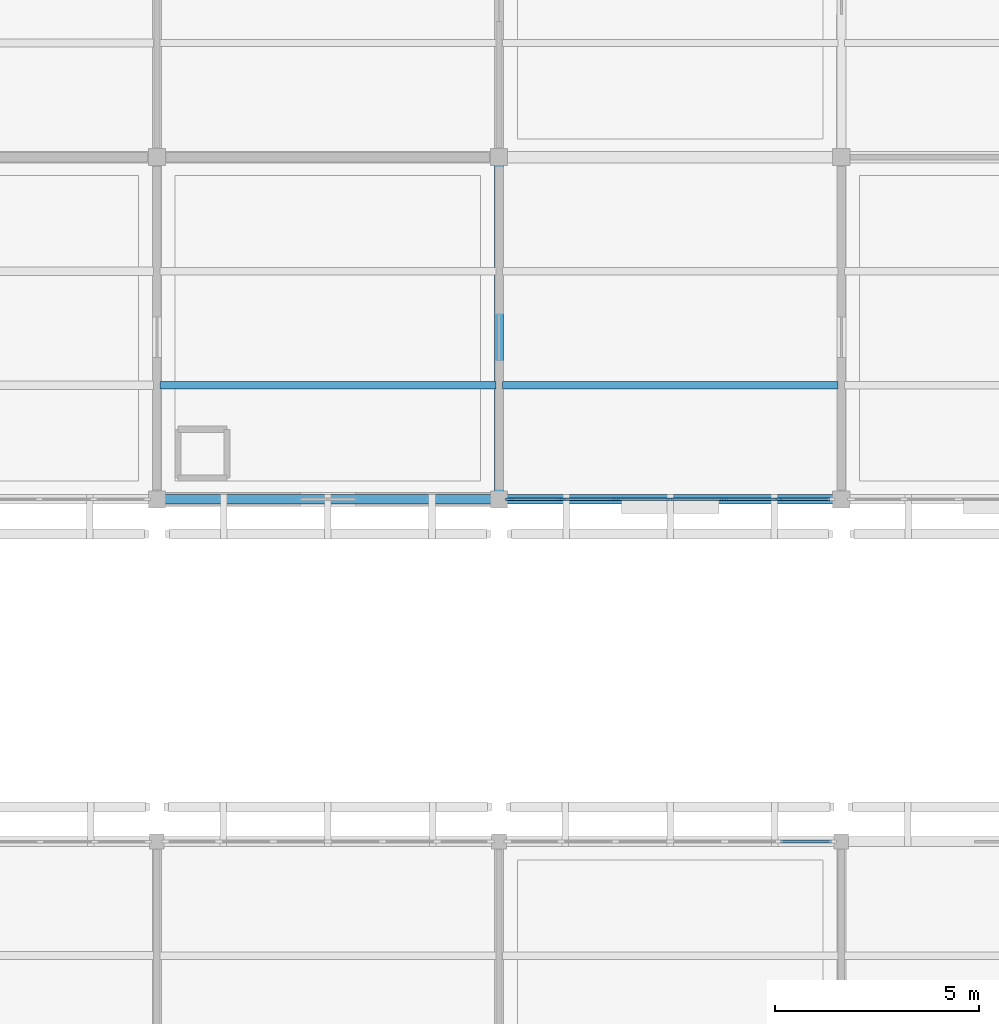
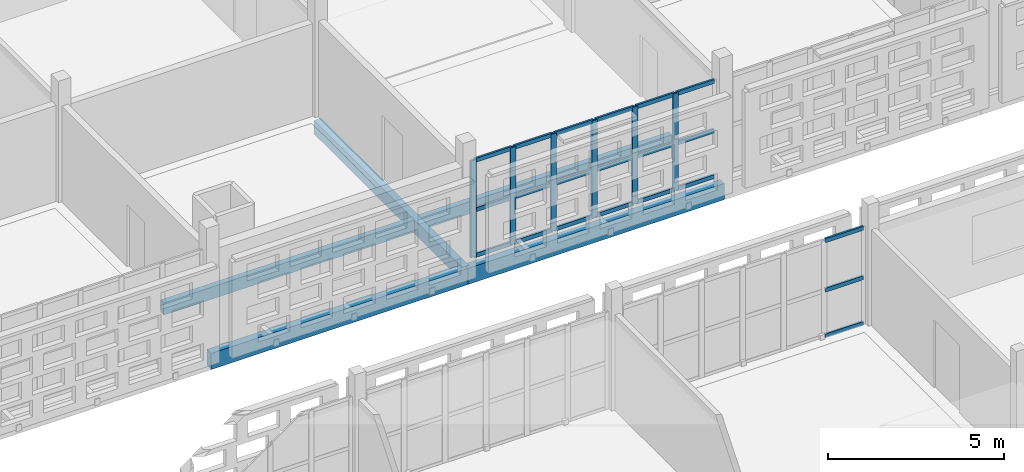
# One storey, part 65 of 166: 27 members, 5 beams, 2 elements without a shape of their own.
"""IFC4 building model written with IfcOpenShell, lengths in metres."""

from ifc_helpers import new_model, si_unit, direction, frame, origin, origin_2d, place, context, subcontext, project, spatial, rectangle, extrude, material, layer, layer_set, material_profile, profile_set, type_object, element, aggregate, save


model = new_model("IFC4")

# Units and contexts
model_context = context("Model", 3, precision=1e-05, world=origin(), true_north=direction((0.0, 1.0)))
body_context = subcontext(model_context, "Body", "Model", "MODEL_VIEW")
ifc_project = project(units=[si_unit("LENGTHUNIT", "METRE"), si_unit("AREAUNIT", "SQUARE_METRE"), si_unit("VOLUMEUNIT", "CUBIC_METRE"), si_unit("PLANEANGLEUNIT", "RADIAN"), si_unit("MASSUNIT", "GRAM", prefix="KILO")], contexts=[model_context])

# Site, building, storey
site_placement = place(None, origin())
site = spatial("IfcSite", under=ifc_project, at=site_placement, CompositionType="ELEMENT")
building_placement = place(site_placement, origin())
building = spatial("IfcBuilding", under=site, at=building_placement, Name="Varnapada Polytechnic", CompositionType="ELEMENT")
storey_placement = place(building_placement, frame((0.0, 0.0, 9.60009765625)))
storey = spatial("IfcBuildingStorey", under=building, at=storey_placement, Name="L02", CompositionType="ELEMENT", Elevation=9.60009765625)

# Curtain wall, members
ifc_material_1 = material(Name="Double low-E laminated glass", Category="glass")
ifc_layer = layer(ifc_material_1, 0.179931640625)
ifc_layer_set = layer_set([ifc_layer], Name="Double low-E laminated glass")
curtain_wall_type = type_object("IfcCurtainWallType", Name="Curtain Wall CW-04", PredefinedType="NOTDEFINED", material=ifc_layer_set)
curtain_wall_1_placement = place(storey_placement, origin())
curtain_wall_1 = element("IfcCurtainWall", 1, at=curtain_wall_1_placement, inside=storey, type_object=curtain_wall_type, Name="L02 unitised curtain wall CW-04 (196)", PredefinedType="NOTDEFINED")
ifc_material_2 = material(Name="Anodised aluminium", Category="aluminium")
ifc_material_profile_1 = material_profile(ifc_material_2, rectangle(XDim=0.06494140625, YDim=0.179931640625, at=origin_2d()), Name="ALU M65x180")
ifc_profile_set_1 = profile_set([ifc_material_profile_1], Name="Anodised aluminium")
member_type_1 = type_object("IfcMemberType", Name="Mullion M-02", PredefinedType="MULLION", material=ifc_profile_set_1)
member_1_placement = place(storey_placement, frame((158.06005859375, 58.800048828125, 0.0), z_axis=(0.0, 0.0, 1.0), x_axis=(0.0, -1.0, 0.0)))
member_1 = element("IfcMember", 2, at=member_1_placement, type_object=member_type_1, Name="CW-04 mullion 2", PredefinedType="MULLION", context=body_context, shape_type="SweptSolid", body=[
    extrude(rectangle(XDim=0.06494140625, YDim=0.179931640625, at=origin_2d()), origin(), (0.0, 0.0, 1.0), 3.35986328125),
])
member_2_placement = place(storey_placement, frame((156.72998046875, 58.800048828125, 0.0), z_axis=(0.0, 0.0, 1.0), x_axis=(0.0, -1.0, 0.0)))
member_2 = element("IfcMember", 3, at=member_2_placement, type_object=member_type_1, Name="CW-04 mullion 3", PredefinedType="MULLION", context=body_context, shape_type="SweptSolid", body=[
    extrude(rectangle(XDim=0.06494140625, YDim=0.179931640625, at=origin_2d()), origin(), (0.0, 0.0, 1.0), 3.35986328125),
])
member_3_placement = place(storey_placement, frame((155.39990234375, 58.800048828125, 0.0), z_axis=(0.0, 0.0, 1.0), x_axis=(0.0, -1.0, 0.0)))
member_3 = element("IfcMember", 4, at=member_3_placement, type_object=member_type_1, Name="CW-04 mullion 4", PredefinedType="MULLION", context=body_context, shape_type="SweptSolid", body=[
    extrude(rectangle(XDim=0.06494140625, YDim=0.179931640625, at=origin_2d()), origin(), (0.0, 0.0, 1.0), 3.35986328125),
])
member_4_placement = place(storey_placement, frame((154.070068359375, 58.800048828125, 0.0), z_axis=(0.0, 0.0, 1.0), x_axis=(0.0, -1.0, 0.0)))
member_4 = element("IfcMember", 5, at=member_4_placement, type_object=member_type_1, Name="CW-04 mullion 5", PredefinedType="MULLION", context=body_context, shape_type="SweptSolid", body=[
    extrude(rectangle(XDim=0.06494140625, YDim=0.179931640625, at=origin_2d()), origin(), (0.0, 0.0, 1.0), 3.35986328125),
])
member_5_placement = place(storey_placement, frame((152.739990234375, 58.800048828125, 0.0), z_axis=(0.0, 0.0, 1.0), x_axis=(0.0, -1.0, 0.0)))
member_5 = element("IfcMember", 6, at=member_5_placement, type_object=member_type_1, Name="CW-04 mullion 6", PredefinedType="MULLION", context=body_context, shape_type="SweptSolid", body=[
    extrude(rectangle(XDim=0.06494140625, YDim=0.179931640625, at=origin_2d()), origin(), (0.0, 0.0, 1.0), 3.35986328125),
])
member_6_placement = place(storey_placement, frame((151.4423828125, 58.800048828125, 0.0), z_axis=(0.0, 0.0, 1.0), x_axis=(0.0, -1.0, 0.0)))
member_6 = element("IfcMember", 7, at=member_6_placement, type_object=member_type_1, Name="CW-04 mullion 7", PredefinedType="MULLION", context=body_context, shape_type="SweptSolid", body=[
    extrude(rectangle(XDim=0.06494140625, YDim=0.179931640625, at=origin_2d()), origin(), (0.0, 0.0, 1.0), 3.35986328125),
])

# Beams
ifc_material_3 = material(Name="Glulam GL32h", Category="wood")
ifc_material_profile_2 = material_profile(ifc_material_3, rectangle(XDim=0.239990234375, YDim=0.56005859375, at=origin_2d()), Name="GL 240x560")
ifc_profile_set_2 = profile_set([ifc_material_profile_2], Name="Glulam GL32h")
beam_type_1 = type_object("IfcBeamType", Name="Perimeter glulam spandrel beam SP-02 (GL 240x560)", PredefinedType="SPANDREL", material=ifc_profile_set_2)
beam_1_placement = place(storey_placement, frame((142.800048828125, 58.800048828125, -0.530029296875), z_axis=(1.0, 0.0, 0.0), x_axis=(0.0, 1.0, 0.0)))
element("IfcBeam", 8, at=beam_1_placement, inside=storey, type_object=beam_type_1, Name="L02 beam X 18-19 at Y8", PredefinedType="SPANDREL", context=body_context, shape_type="SweptSolid", body=[
    extrude(rectangle(XDim=0.239990234375, YDim=0.56005859375, at=origin_2d()), origin(), (0.0, 0.0, 1.0), 8.39990234375),
])
beam_2_placement = place(storey_placement, frame((151.199951171875, 58.800048828125, -0.530029296875), z_axis=(1.0, 0.0, 0.0), x_axis=(0.0, 1.0, 0.0)))
element("IfcBeam", 9, at=beam_2_placement, inside=storey, type_object=beam_type_1, Name="L02 beam X 19-20 at Y8", PredefinedType="SPANDREL", context=body_context, shape_type="SweptSolid", body=[
    extrude(rectangle(XDim=0.239990234375, YDim=0.56005859375, at=origin_2d()), origin(), (0.0, 0.0, 1.0), 8.400146484375),
])
ifc_material_profile_3 = material_profile(ifc_material_3, rectangle(XDim=0.179931640625, YDim=0.419921875, at=origin_2d()), Name="GL 180x420")
ifc_profile_set_3 = profile_set([ifc_material_profile_3], Name="Glulam GL32h")
beam_type_2 = type_object("IfcBeamType", Name="Reading hall glulam joist GJ-04 (GL 180x420)", PredefinedType="JOIST", material=ifc_profile_set_3)
beam_3_placement = place(storey_placement, frame((142.8798828125, 61.60009765625, -0.460205078125), z_axis=(1.0, 0.0, 0.0), x_axis=(0.0, 1.0, 0.0)))
element("IfcBeam", 10, at=beam_3_placement, inside=storey, type_object=beam_type_2, Name="L02 floor joist 18/8.1", PredefinedType="JOIST", context=body_context, shape_type="SweptSolid", body=[
    extrude(rectangle(XDim=0.179931640625, YDim=0.419921875, at=origin_2d()), origin(), (0.0, 0.0, 1.0), 8.240234375),
])
beam_4_placement = place(storey_placement, frame((151.280029296875, 61.60009765625, -0.460205078125), z_axis=(1.0, 0.0, 0.0), x_axis=(0.0, 1.0, 0.0)))
element("IfcBeam", 11, at=beam_4_placement, inside=storey, type_object=beam_type_2, Name="L02 floor joist 19/8.1", PredefinedType="JOIST", context=body_context, shape_type="SweptSolid", body=[
    extrude(rectangle(XDim=0.179931640625, YDim=0.419921875, at=origin_2d()), origin(), (0.0, 0.0, 1.0), 8.239990234375),
])

# Curtain wall, members
curtain_wall_2_placement = place(storey_placement, origin())
curtain_wall_2 = element("IfcCurtainWall", 12, at=curtain_wall_2_placement, inside=storey, type_object=curtain_wall_type, Name="L02 unitised curtain wall CW-04 (195)", PredefinedType="NOTDEFINED")
ifc_material_profile_4 = material_profile(ifc_material_2, rectangle(XDim=0.06494140625, YDim=0.139892578125, at=origin_2d()), Name="ALU T65x140")
ifc_profile_set_4 = profile_set([ifc_material_profile_4], Name="Anodised aluminium")
member_type_2 = type_object("IfcMemberType", Name="Transom T-02", PredefinedType="USERDEFINED", material=ifc_profile_set_4)
member_7_placement = place(storey_placement, frame((158.112548828125, 50.39990234375, 0.032470703125), z_axis=(1.0, 0.0, 0.0), x_axis=(0.0, 1.0, 0.0)))
member_7 = element("IfcMember", 13, at=member_7_placement, type_object=member_type_2, Name="CW-04 transom 6.1", ObjectType="TRANSOM", PredefinedType="USERDEFINED", context=body_context, shape_type="SweptSolid", body=[
    extrude(rectangle(XDim=0.06494140625, YDim=0.139892578125, at=origin_2d()), origin(), (0.0, 0.0, 1.0), 1.242431640625),
])
member_8_placement = place(storey_placement, frame((158.112548828125, 50.39990234375, 1.61279296875), z_axis=(1.0, 0.0, 0.0), x_axis=(0.0, 1.0, 0.0)))
member_8 = element("IfcMember", 14, at=member_8_placement, type_object=member_type_2, Name="CW-04 transom 6.2", ObjectType="TRANSOM", PredefinedType="USERDEFINED", context=body_context, shape_type="SweptSolid", body=[
    extrude(rectangle(XDim=0.06494140625, YDim=0.139892578125, at=origin_2d()), origin(), (0.0, 0.0, 1.0), 1.242431640625),
])
member_9_placement = place(storey_placement, frame((158.112548828125, 50.39990234375, 3.327392578125), z_axis=(1.0, 0.0, 0.0), x_axis=(0.0, 1.0, 0.0)))
member_9 = element("IfcMember", 15, at=member_9_placement, type_object=member_type_2, Name="CW-04 transom 6.3", ObjectType="TRANSOM", PredefinedType="USERDEFINED", context=body_context, shape_type="SweptSolid", body=[
    extrude(rectangle(XDim=0.06494140625, YDim=0.139892578125, at=origin_2d()), origin(), (0.0, 0.0, 1.0), 1.242431640625),
])
aggregate(curtain_wall_2, [member_7, member_8, member_9])

# Member
member_10_placement = place(storey_placement, frame((159.324951171875, 58.800048828125, 0.032470703125), z_axis=(-1.0, 0.0, 0.0), x_axis=(0.0, -1.0, 0.0)))
member_10 = element("IfcMember", 16, at=member_10_placement, type_object=member_type_2, Name="CW-04 transom 1.1", ObjectType="TRANSOM", PredefinedType="USERDEFINED", context=body_context, shape_type="SweptSolid", body=[
    extrude(rectangle(XDim=0.06494140625, YDim=0.139892578125, at=origin_2d()), origin(), (0.0, 0.0, 1.0), 1.232421875),
])

member_11_placement = place(storey_placement, frame((159.324951171875, 58.800048828125, 1.61279296875), z_axis=(-1.0, 0.0, 0.0), x_axis=(0.0, -1.0, 0.0)))
member_11 = element("IfcMember", 17, at=member_11_placement, type_object=member_type_2, Name="CW-04 transom 1.2", ObjectType="TRANSOM", PredefinedType="USERDEFINED", context=body_context, shape_type="SweptSolid", body=[
    extrude(rectangle(XDim=0.06494140625, YDim=0.139892578125, at=origin_2d()), origin(), (0.0, 0.0, 1.0), 1.232421875),
])

member_12_placement = place(storey_placement, frame((159.324951171875, 58.800048828125, 3.327392578125), z_axis=(-1.0, 0.0, 0.0), x_axis=(0.0, -1.0, 0.0)))
member_12 = element("IfcMember", 18, at=member_12_placement, type_object=member_type_2, Name="CW-04 transom 1.3", ObjectType="TRANSOM", PredefinedType="USERDEFINED", context=body_context, shape_type="SweptSolid", body=[
    extrude(rectangle(XDim=0.06494140625, YDim=0.139892578125, at=origin_2d()), origin(), (0.0, 0.0, 1.0), 1.232421875),
])

member_13_placement = place(storey_placement, frame((158.027587890625, 58.800048828125, 0.032470703125), z_axis=(-1.0, 0.0, 0.0), x_axis=(0.0, -1.0, 0.0)))
member_13 = element("IfcMember", 19, at=member_13_placement, type_object=member_type_2, Name="CW-04 transom 2.1", ObjectType="TRANSOM", PredefinedType="USERDEFINED", context=body_context, shape_type="SweptSolid", body=[
    extrude(rectangle(XDim=0.06494140625, YDim=0.139892578125, at=origin_2d()), origin(), (0.0, 0.0, 1.0), 1.26513671875),
])

member_14_placement = place(storey_placement, frame((158.027587890625, 58.800048828125, 1.61279296875), z_axis=(-1.0, 0.0, 0.0), x_axis=(0.0, -1.0, 0.0)))
member_14 = element("IfcMember", 20, at=member_14_placement, type_object=member_type_2, Name="CW-04 transom 2.2", ObjectType="TRANSOM", PredefinedType="USERDEFINED", context=body_context, shape_type="SweptSolid", body=[
    extrude(rectangle(XDim=0.06494140625, YDim=0.139892578125, at=origin_2d()), origin(), (0.0, 0.0, 1.0), 1.26513671875),
])

member_15_placement = place(storey_placement, frame((158.027587890625, 58.800048828125, 3.327392578125), z_axis=(-1.0, 0.0, 0.0), x_axis=(0.0, -1.0, 0.0)))
member_15 = element("IfcMember", 21, at=member_15_placement, type_object=member_type_2, Name="CW-04 transom 2.3", ObjectType="TRANSOM", PredefinedType="USERDEFINED", context=body_context, shape_type="SweptSolid", body=[
    extrude(rectangle(XDim=0.06494140625, YDim=0.139892578125, at=origin_2d()), origin(), (0.0, 0.0, 1.0), 1.26513671875),
])

member_16_placement = place(storey_placement, frame((156.697509765625, 58.800048828125, 0.032470703125), z_axis=(-1.0, 0.0, 0.0), x_axis=(0.0, -1.0, 0.0)))
member_16 = element("IfcMember", 22, at=member_16_placement, type_object=member_type_2, Name="CW-04 transom 3.1", ObjectType="TRANSOM", PredefinedType="USERDEFINED", context=body_context, shape_type="SweptSolid", body=[
    extrude(rectangle(XDim=0.06494140625, YDim=0.139892578125, at=origin_2d()), origin(), (0.0, 0.0, 1.0), 1.264892578125),
])

member_17_placement = place(storey_placement, frame((156.697509765625, 58.800048828125, 1.61279296875), z_axis=(-1.0, 0.0, 0.0), x_axis=(0.0, -1.0, 0.0)))
member_17 = element("IfcMember", 23, at=member_17_placement, type_object=member_type_2, Name="CW-04 transom 3.2", ObjectType="TRANSOM", PredefinedType="USERDEFINED", context=body_context, shape_type="SweptSolid", body=[
    extrude(rectangle(XDim=0.06494140625, YDim=0.139892578125, at=origin_2d()), origin(), (0.0, 0.0, 1.0), 1.264892578125),
])

member_18_placement = place(storey_placement, frame((156.697509765625, 58.800048828125, 3.327392578125), z_axis=(-1.0, 0.0, 0.0), x_axis=(0.0, -1.0, 0.0)))
member_18 = element("IfcMember", 24, at=member_18_placement, type_object=member_type_2, Name="CW-04 transom 3.3", ObjectType="TRANSOM", PredefinedType="USERDEFINED", context=body_context, shape_type="SweptSolid", body=[
    extrude(rectangle(XDim=0.06494140625, YDim=0.139892578125, at=origin_2d()), origin(), (0.0, 0.0, 1.0), 1.264892578125),
])

member_19_placement = place(storey_placement, frame((155.367431640625, 58.800048828125, 0.032470703125), z_axis=(-1.0, 0.0, 0.0), x_axis=(0.0, -1.0, 0.0)))
member_19 = element("IfcMember", 25, at=member_19_placement, type_object=member_type_2, Name="CW-04 transom 4.1", ObjectType="TRANSOM", PredefinedType="USERDEFINED", context=body_context, shape_type="SweptSolid", body=[
    extrude(rectangle(XDim=0.06494140625, YDim=0.139892578125, at=origin_2d()), origin(), (0.0, 0.0, 1.0), 1.264892578125),
])

member_20_placement = place(storey_placement, frame((155.367431640625, 58.800048828125, 1.61279296875), z_axis=(-1.0, 0.0, 0.0), x_axis=(0.0, -1.0, 0.0)))
member_20 = element("IfcMember", 26, at=member_20_placement, type_object=member_type_2, Name="CW-04 transom 4.2", ObjectType="TRANSOM", PredefinedType="USERDEFINED", context=body_context, shape_type="SweptSolid", body=[
    extrude(rectangle(XDim=0.06494140625, YDim=0.139892578125, at=origin_2d()), origin(), (0.0, 0.0, 1.0), 1.264892578125),
])

member_21_placement = place(storey_placement, frame((155.367431640625, 58.800048828125, 3.327392578125), z_axis=(-1.0, 0.0, 0.0), x_axis=(0.0, -1.0, 0.0)))
member_21 = element("IfcMember", 27, at=member_21_placement, type_object=member_type_2, Name="CW-04 transom 4.3", ObjectType="TRANSOM", PredefinedType="USERDEFINED", context=body_context, shape_type="SweptSolid", body=[
    extrude(rectangle(XDim=0.06494140625, YDim=0.139892578125, at=origin_2d()), origin(), (0.0, 0.0, 1.0), 1.264892578125),
])

member_22_placement = place(storey_placement, frame((154.03759765625, 58.800048828125, 0.032470703125), z_axis=(-1.0, 0.0, 0.0), x_axis=(0.0, -1.0, 0.0)))
member_22 = element("IfcMember", 28, at=member_22_placement, type_object=member_type_2, Name="CW-04 transom 5.1", ObjectType="TRANSOM", PredefinedType="USERDEFINED", context=body_context, shape_type="SweptSolid", body=[
    extrude(rectangle(XDim=0.06494140625, YDim=0.139892578125, at=origin_2d()), origin(), (0.0, 0.0, 1.0), 1.26513671875),
])

member_23_placement = place(storey_placement, frame((154.03759765625, 58.800048828125, 1.61279296875), z_axis=(-1.0, 0.0, 0.0), x_axis=(0.0, -1.0, 0.0)))
member_23 = element("IfcMember", 29, at=member_23_placement, type_object=member_type_2, Name="CW-04 transom 5.2", ObjectType="TRANSOM", PredefinedType="USERDEFINED", context=body_context, shape_type="SweptSolid", body=[
    extrude(rectangle(XDim=0.06494140625, YDim=0.139892578125, at=origin_2d()), origin(), (0.0, 0.0, 1.0), 1.26513671875),
])

member_24_placement = place(storey_placement, frame((154.03759765625, 58.800048828125, 3.327392578125), z_axis=(-1.0, 0.0, 0.0), x_axis=(0.0, -1.0, 0.0)))
member_24 = element("IfcMember", 30, at=member_24_placement, type_object=member_type_2, Name="CW-04 transom 5.3", ObjectType="TRANSOM", PredefinedType="USERDEFINED", context=body_context, shape_type="SweptSolid", body=[
    extrude(rectangle(XDim=0.06494140625, YDim=0.139892578125, at=origin_2d()), origin(), (0.0, 0.0, 1.0), 1.26513671875),
])

member_25_placement = place(storey_placement, frame((152.70751953125, 58.800048828125, 0.032470703125), z_axis=(-1.0, 0.0, 0.0), x_axis=(0.0, -1.0, 0.0)))
member_25 = element("IfcMember", 31, at=member_25_placement, type_object=member_type_2, Name="CW-04 transom 6.1", ObjectType="TRANSOM", PredefinedType="USERDEFINED", context=body_context, shape_type="SweptSolid", body=[
    extrude(rectangle(XDim=0.06494140625, YDim=0.139892578125, at=origin_2d()), origin(), (0.0, 0.0, 1.0), 1.232421875),
])

member_26_placement = place(storey_placement, frame((152.70751953125, 58.800048828125, 1.61279296875), z_axis=(-1.0, 0.0, 0.0), x_axis=(0.0, -1.0, 0.0)))
member_26 = element("IfcMember", 32, at=member_26_placement, type_object=member_type_2, Name="CW-04 transom 6.2", ObjectType="TRANSOM", PredefinedType="USERDEFINED", context=body_context, shape_type="SweptSolid", body=[
    extrude(rectangle(XDim=0.06494140625, YDim=0.139892578125, at=origin_2d()), origin(), (0.0, 0.0, 1.0), 1.232421875),
])

member_27_placement = place(storey_placement, frame((152.70751953125, 58.800048828125, 3.327392578125), z_axis=(-1.0, 0.0, 0.0), x_axis=(0.0, -1.0, 0.0)))
member_27 = element("IfcMember", 33, at=member_27_placement, type_object=member_type_2, Name="CW-04 transom 6.3", ObjectType="TRANSOM", PredefinedType="USERDEFINED", context=body_context, shape_type="SweptSolid", body=[
    extrude(rectangle(XDim=0.06494140625, YDim=0.139892578125, at=origin_2d()), origin(), (0.0, 0.0, 1.0), 1.232421875),
])

aggregate(curtain_wall_1, [member_1, member_2, member_3, member_4, member_5, member_6, member_10, member_11, member_12, member_13, member_14, member_15, member_16, member_17, member_18, member_19, member_20, member_21, member_22, member_23, member_24, member_25, member_26, member_27])

# Beam
ifc_material_profile_5 = material_profile(ifc_material_3, rectangle(XDim=0.219970703125, YDim=0.47998046875, at=origin_2d()), Name="GL 220x480")
ifc_profile_set_5 = profile_set([ifc_material_profile_5], Name="Glulam GL32h")
beam_type_3 = type_object("IfcBeamType", Name="Upper floor glulam tie beam GB-11 (GL 220x480)", PredefinedType="BEAM", material=ifc_profile_set_5)
beam_5_placement = place(storey_placement, frame((151.199951171875, 58.800048828125, -0.489990234375), z_axis=(0.0, 1.0, 0.0), x_axis=(-1.0, 0.0, 0.0)))
element("IfcBeam", 34, at=beam_5_placement, inside=storey, type_object=beam_type_3, Name="L02 beam Y 8-9 at X19", PredefinedType="BEAM", context=body_context, shape_type="SweptSolid", body=[
    extrude(rectangle(XDim=0.219970703125, YDim=0.47998046875, at=origin_2d()), origin(), (0.0, 0.0, 1.0), 8.39990234375),
])

save(model, "model.ifc")
